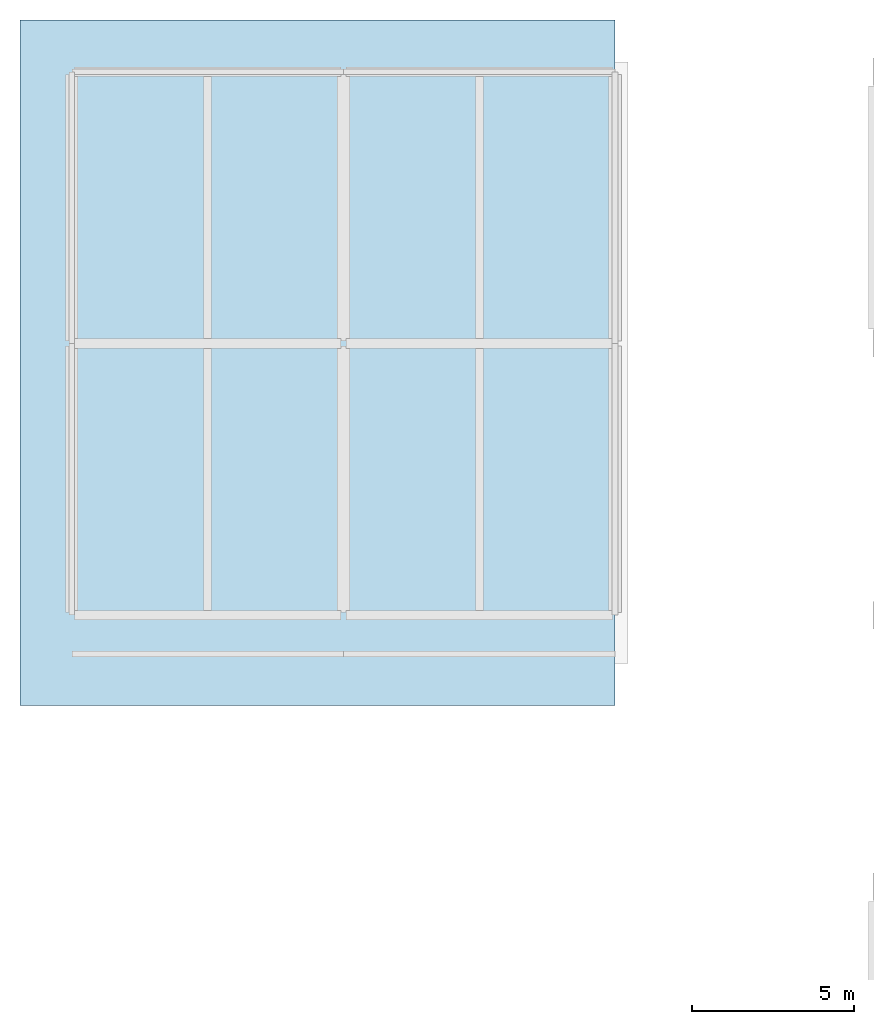
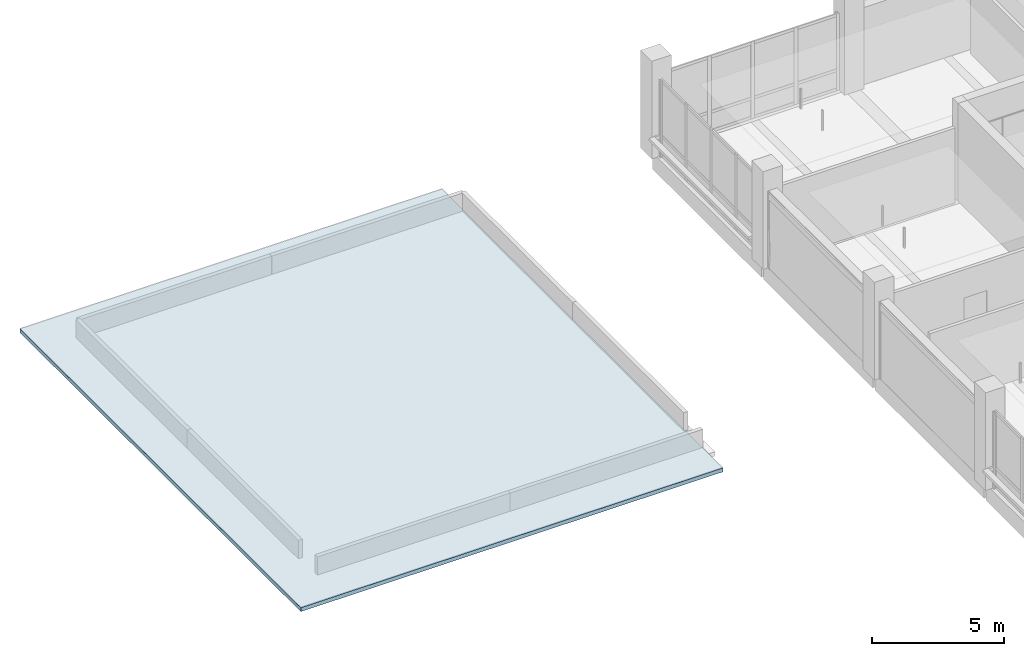
# One storey, part 15 of 39: 1 roof.
"""IFC4 building model written with IfcOpenShell, lengths in metres."""

import ifcopenshell
import ifcopenshell.guid

model = None  # the IFC model being written
_history = None  # IfcOwnerHistory: only IFC2X3 demands one
_inside = {}  # id of a spatial element -> (the spatial element, [elements in it])
_under = {}  # id of a project, library or spatial element -> (it, [spatial elements below it])
_declared = {}  # id of a project -> (the project, [libraries it declares])
_typed = {}  # id of a type object -> (the type object, [elements of that type])
_made_of = {}  # id of a material, layer set ... -> (it, [elements and type objects made of it])


def new_model(schema):
    """Start an empty IFC model of exactly this schema.

    Asked for "IFC4X3", IfcOpenShell would pick the latest addendum, in which some entities
    have other attributes; the version numbers below select the first issue.
    IFC2X3 requires an IfcOwnerHistory on every rooted entity: one is made here for all.
    """
    global model, _history
    if schema == "IFC4X3":
        model = ifcopenshell.file(schema_version=(4, 3, 0, 0))
    else:
        model = ifcopenshell.file(schema=schema)
    _inside.clear()
    _under.clear()
    _declared.clear()
    _typed.clear()
    _made_of.clear()
    _history = None
    if model.schema == "IFC2X3":
        org = make("IfcOrganization", Name="unknown")
        user = make(
            "IfcPersonAndOrganization",
            ThePerson=make("IfcPerson", FamilyName="unknown"),
            TheOrganization=org,
        )
        app = make(
            "IfcApplication",
            ApplicationDeveloper=org,
            Version="unknown",
            ApplicationFullName="unknown",
            ApplicationIdentifier="unknown",
        )
        _history = make(
            "IfcOwnerHistory",
            OwningUser=user,
            OwningApplication=app,
            ChangeAction="ADDED",
            CreationDate=0,
        )
    return model


def make(cls, **values):
    """One entity of the class cls with the attributes given. An attribute that is None is left unset."""
    return model.create_entity(
        cls, **{name: value for name, value in values.items() if value is not None}
    )


def rooted(cls, **values):
    """An entity with a GlobalId (a new one), such as an element, a storey or a relation."""
    return make(cls, GlobalId=ifcopenshell.guid.new(), OwnerHistory=_history, **values)


def si_unit(unit_type, name, prefix=None):
    """IfcSIUnit, for example si_unit("LENGTHUNIT", "METRE", prefix="MILLI")."""
    return make("IfcSIUnit", UnitType=unit_type, Prefix=prefix, Name=name)


def assignment(units):
    """IfcUnitAssignment: the units of a project."""
    return None if units is None else make("IfcUnitAssignment", Units=units)


def point(xyz):
    """IfcCartesianPoint."""
    return None if xyz is None else make("IfcCartesianPoint", Coordinates=xyz)


def direction(xyz):
    """IfcDirection."""
    return None if xyz is None else make("IfcDirection", DirectionRatios=xyz)


def frame(location, z_axis=None, x_axis=None):
    """IfcAxis2Placement3D, a coordinate frame: its origin and axes. An axis left out is left unset."""
    return make(
        "IfcAxis2Placement3D",
        Location=point(location),
        Axis=direction(z_axis),
        RefDirection=direction(x_axis),
    )


def origin():
    """The frame at (0, 0, 0) with its axes left unset."""
    return frame((0.0, 0.0, 0.0))


def place(relative_to, where):
    """IfcLocalPlacement: puts the frame where relative to a parent placement (None: the world)."""
    return make(
        "IfcLocalPlacement", PlacementRelTo=relative_to, RelativePlacement=where
    )


def context(
    kind, dimensions, precision=None, world=None, true_north=None, identifier=None
):
    """IfcGeometricRepresentationContext, for example the 3D "Model" context."""
    return make(
        "IfcGeometricRepresentationContext",
        ContextIdentifier=identifier,
        ContextType=kind,
        CoordinateSpaceDimension=dimensions,
        Precision=precision,
        WorldCoordinateSystem=world,
        TrueNorth=true_north,
    )


def subcontext(parent, identifier, kind, view, scale=None):
    """IfcGeometricRepresentationSubContext, for example "Body" below "Model"."""
    return make(
        "IfcGeometricRepresentationSubContext",
        ContextIdentifier=identifier,
        ContextType=kind,
        ParentContext=parent,
        TargetScale=scale,
        TargetView=view,
    )


def project(units=None, contexts=None):
    """IfcProject with its units and contexts."""
    return rooted(
        "IfcProject",
        Name="project",
        RepresentationContexts=contexts,
        UnitsInContext=assignment(units),
    )


def spatial(cls, under=None, at=None, **own):
    """A site, building, storey or space (cls), placed at a placement, below another one or the project."""
    s = rooted(cls, ObjectPlacement=at, **own)
    if under is not None:
        _under.setdefault(under.id(), (under, []))[1].append(s)
    return s


def polyline(points):
    """IfcPolyline through the points."""
    return make("IfcPolyline", Points=[point(p) for p in points])


def outline(outer, holes=None, kind="AREA"):
    """IfcArbitraryClosedProfileDef: a profile drawn as a closed curve; with holes, ...WithVoids."""
    if holes is None:
        return make("IfcArbitraryClosedProfileDef", ProfileType=kind, OuterCurve=outer)
    return make(
        "IfcArbitraryProfileDefWithVoids",
        ProfileType=kind,
        OuterCurve=outer,
        InnerCurves=holes,
    )


def extrude(swept, where, along, depth):
    """IfcExtrudedAreaSolid: the profile swept, set in the frame where, extruded along a direction by depth."""
    return make(
        "IfcExtrudedAreaSolid",
        SweptArea=swept,
        Position=where,
        ExtrudedDirection=direction(along),
        Depth=depth,
    )


def shape(context_of_items, identifier, shape_type, items):
    """IfcShapeRepresentation: the items that make up one representation, for example the "Body"."""
    return make(
        "IfcShapeRepresentation",
        ContextOfItems=context_of_items,
        RepresentationIdentifier=identifier,
        RepresentationType=shape_type,
        Items=items,
    )


def material(Name=None, Category=None):
    """IfcMaterial."""
    return make("IfcMaterial", Name=Name, Category=Category)


def layer(
    of_material, thickness, ventilated=None, Name=None, Category=None, Priority=None
):
    """IfcMaterialLayer: one layer of a wall or slab, of a material (None: an air gap)."""
    return make(
        "IfcMaterialLayer",
        Material=of_material,
        LayerThickness=thickness,
        IsVentilated=ventilated,
        Name=Name,
        Category=Category,
        Priority=Priority,
    )


def layer_set(layers, Name=None):
    """IfcMaterialLayerSet."""
    return make("IfcMaterialLayerSet", MaterialLayers=layers, LayerSetName=Name)


def made_of(thing, what):
    """Note that an element or type object is made of a material, layer set ...; save() writes the relation."""
    if what is not None:
        _made_of.setdefault(what.id(), (what, []))[1].append(thing)
    return thing


def type_object(cls, material=None, **own):
    """A type object (cls), such as IfcWallType, which elements share."""
    return made_of(rooted(cls, **own), material)


def element(
    cls,
    number,
    at=None,
    inside=None,
    cuts=None,
    type_object=None,
    material=None,
    context=None,
    identifier="Body",
    shape_type=None,
    held_by="IfcProductDefinitionShape",
    body=None,
    shapes=None,
    **own,
):
    """One element of the class cls, such as IfcWall. Its Tag is "e" and its number.

    at: its placement. inside: the storey or other place that contains it. cuts: it is an
    opening in that element (IfcRelVoidsElement). A single representation is given by context,
    identifier, shape_type and body (its items); several are given by shapes. held_by: the class
    of the entity that holds the representations. save() writes the other relations.
    """
    e = rooted(cls, Tag="e%d" % number, ObjectPlacement=at, **own)
    if body is not None:
        shapes = [shape(context, identifier, shape_type, body)]
    if shapes is not None:
        e.Representation = make(held_by, Representations=shapes)
    if inside is not None:
        _inside.setdefault(inside.id(), (inside, []))[1].append(e)
    if cuts is not None:
        rooted(
            "IfcRelVoidsElement", RelatingBuildingElement=cuts, RelatedOpeningElement=e
        )
    if type_object is not None:
        _typed.setdefault(type_object.id(), (type_object, []))[1].append(e)
    return made_of(e, material)


def aggregate(whole, parts):
    """IfcRelAggregates: a whole, such as a stair, and the parts it consists of."""
    return rooted("IfcRelAggregates", RelatingObject=whole, RelatedObjects=parts)


def save(model, path):
    """Write the relations noted so far, then the file.

    IfcRelAggregates (storeys below a building ...), IfcRelContainedInSpatialStructure (elements
    in a storey), IfcRelDefinesByType, IfcRelAssociatesMaterial and IfcRelDeclares: one each for
    every whole, place, type object, material and project.
    """
    for whole, parts in _under.values():
        aggregate(whole, parts)
    for where, things in _inside.values():
        rooted(
            "IfcRelContainedInSpatialStructure",
            RelatedElements=things,
            RelatingStructure=where,
        )
    for kind, things in _typed.values():
        rooted("IfcRelDefinesByType", RelatedObjects=things, RelatingType=kind)
    for what, things in _made_of.values():
        rooted("IfcRelAssociatesMaterial", RelatedObjects=things, RelatingMaterial=what)
    for by, libraries in _declared.values():
        rooted("IfcRelDeclares", RelatingContext=by, RelatedDefinitions=libraries)
    model.write(path)


model = new_model("IFC4")

# Units and contexts
model_context = context("Model", 3, precision=1e-05, world=origin(), true_north=direction((0.0, 1.0)))
body_context = subcontext(model_context, "Body", "Model", "MODEL_VIEW")
ifc_project = project(units=[si_unit("LENGTHUNIT", "METRE"), si_unit("AREAUNIT", "SQUARE_METRE"), si_unit("VOLUMEUNIT", "CUBIC_METRE"), si_unit("PLANEANGLEUNIT", "RADIAN"), si_unit("MASSUNIT", "GRAM", prefix="KILO")], contexts=[model_context])

# Site, building, storey
site_placement = place(None, origin())
site = spatial("IfcSite", under=ifc_project, at=site_placement, CompositionType="ELEMENT")
building_placement = place(site_placement, origin())
building = spatial("IfcBuilding", under=site, at=building_placement, Name="Telukmera Botanical Conservatory", CompositionType="ELEMENT")
storey_placement = place(building_placement, frame((0.0, 0.0, 19.5)))
storey = spatial("IfcBuildingStorey", under=building, at=storey_placement, Name="L04", CompositionType="ELEMENT", Elevation=19.5)

# Roof
ifc_material = material(Name="Insulated reinforced concrete roof assembly C40/50", Category="concrete")
ifc_layer = layer(ifc_material, 0.179931640625)
ifc_layer_set = layer_set([ifc_layer], Name="Insulated reinforced concrete roof assembly C40/50")
roof_type = type_object("IfcRoofType", Name="Heavyweight Insulated Concrete Flat Roof", PredefinedType="FLAT_ROOF", material=ifc_layer_set)
roof_placement = place(storey_placement, origin())
element("IfcRoof", 1, at=roof_placement, inside=storey, type_object=roof_type, Name="Visitor Rooftop Lounge Overhanging Monsoon Eave Roof", PredefinedType="FLAT_ROOF", context=body_context, shape_type="SweptSolid", body=[
    extrude(outline(polyline([(23.60009765625, 23.199951171875), (42.0, 23.199951171875), (42.0, 44.39990234375), (23.60009765625, 44.39990234375), (23.60009765625, 23.199951171875)])), origin(), (0.0, 0.0, 1.0), 0.179931640625),
])

save(model, "model.ifc")
